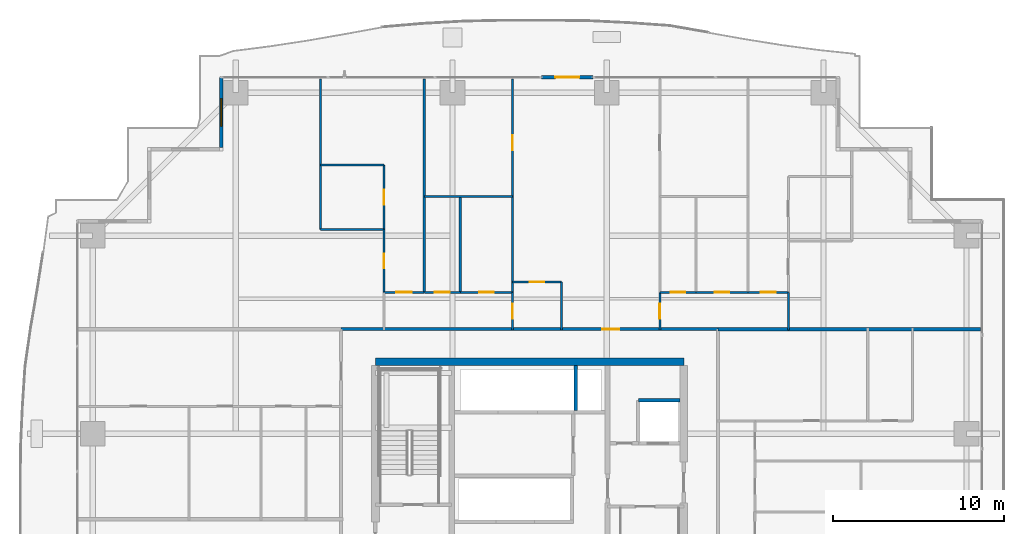
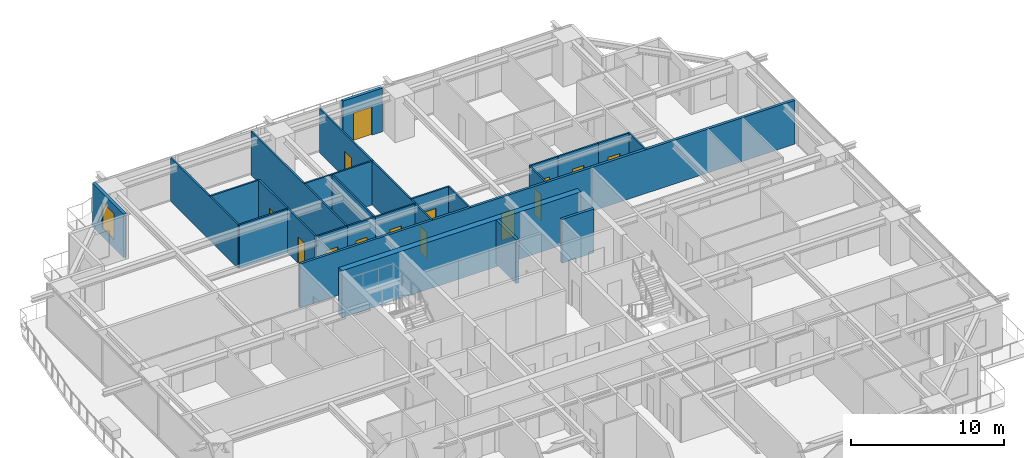
# One storey, part 27 of 36: 28 walls, 14 doors, 1 window, 15 openings.
"""IFC4 building model written with IfcOpenShell, lengths in metres."""

import ifcopenshell
import ifcopenshell.guid

model = None  # the IFC model being written
_history = None  # IfcOwnerHistory: only IFC2X3 demands one
_inside = {}  # id of a spatial element -> (the spatial element, [elements in it])
_under = {}  # id of a project, library or spatial element -> (it, [spatial elements below it])
_declared = {}  # id of a project -> (the project, [libraries it declares])
_typed = {}  # id of a type object -> (the type object, [elements of that type])
_made_of = {}  # id of a material, layer set ... -> (it, [elements and type objects made of it])


def new_model(schema):
    """Start an empty IFC model of exactly this schema.

    Asked for "IFC4X3", IfcOpenShell would pick the latest addendum, in which some entities
    have other attributes; the version numbers below select the first issue.
    IFC2X3 requires an IfcOwnerHistory on every rooted entity: one is made here for all.
    """
    global model, _history
    if schema == "IFC4X3":
        model = ifcopenshell.file(schema_version=(4, 3, 0, 0))
    else:
        model = ifcopenshell.file(schema=schema)
    _inside.clear()
    _under.clear()
    _declared.clear()
    _typed.clear()
    _made_of.clear()
    _history = None
    if model.schema == "IFC2X3":
        org = make("IfcOrganization", Name="unknown")
        user = make(
            "IfcPersonAndOrganization",
            ThePerson=make("IfcPerson", FamilyName="unknown"),
            TheOrganization=org,
        )
        app = make(
            "IfcApplication",
            ApplicationDeveloper=org,
            Version="unknown",
            ApplicationFullName="unknown",
            ApplicationIdentifier="unknown",
        )
        _history = make(
            "IfcOwnerHistory",
            OwningUser=user,
            OwningApplication=app,
            ChangeAction="ADDED",
            CreationDate=0,
        )
    return model


def make(cls, **values):
    """One entity of the class cls with the attributes given. An attribute that is None is left unset."""
    return model.create_entity(
        cls, **{name: value for name, value in values.items() if value is not None}
    )


def rooted(cls, **values):
    """An entity with a GlobalId (a new one), such as an element, a storey or a relation."""
    return make(cls, GlobalId=ifcopenshell.guid.new(), OwnerHistory=_history, **values)


def si_unit(unit_type, name, prefix=None):
    """IfcSIUnit, for example si_unit("LENGTHUNIT", "METRE", prefix="MILLI")."""
    return make("IfcSIUnit", UnitType=unit_type, Prefix=prefix, Name=name)


def assignment(units):
    """IfcUnitAssignment: the units of a project."""
    return None if units is None else make("IfcUnitAssignment", Units=units)


def point(xyz):
    """IfcCartesianPoint."""
    return None if xyz is None else make("IfcCartesianPoint", Coordinates=xyz)


def direction(xyz):
    """IfcDirection."""
    return None if xyz is None else make("IfcDirection", DirectionRatios=xyz)


def frame(location, z_axis=None, x_axis=None):
    """IfcAxis2Placement3D, a coordinate frame: its origin and axes. An axis left out is left unset."""
    return make(
        "IfcAxis2Placement3D",
        Location=point(location),
        Axis=direction(z_axis),
        RefDirection=direction(x_axis),
    )


def frame_2d(location, x_axis=None):
    """IfcAxis2Placement2D, a coordinate frame in the plane: its origin and x axis."""
    return make(
        "IfcAxis2Placement2D", Location=point(location), RefDirection=direction(x_axis)
    )


def origin():
    """The frame at (0, 0, 0) with its axes left unset."""
    return frame((0.0, 0.0, 0.0))


def place(relative_to, where):
    """IfcLocalPlacement: puts the frame where relative to a parent placement (None: the world)."""
    return make(
        "IfcLocalPlacement", PlacementRelTo=relative_to, RelativePlacement=where
    )


def context(
    kind, dimensions, precision=None, world=None, true_north=None, identifier=None
):
    """IfcGeometricRepresentationContext, for example the 3D "Model" context."""
    return make(
        "IfcGeometricRepresentationContext",
        ContextIdentifier=identifier,
        ContextType=kind,
        CoordinateSpaceDimension=dimensions,
        Precision=precision,
        WorldCoordinateSystem=world,
        TrueNorth=true_north,
    )


def subcontext(parent, identifier, kind, view, scale=None):
    """IfcGeometricRepresentationSubContext, for example "Body" below "Model"."""
    return make(
        "IfcGeometricRepresentationSubContext",
        ContextIdentifier=identifier,
        ContextType=kind,
        ParentContext=parent,
        TargetScale=scale,
        TargetView=view,
    )


def project(units=None, contexts=None):
    """IfcProject with its units and contexts."""
    return rooted(
        "IfcProject",
        Name="project",
        RepresentationContexts=contexts,
        UnitsInContext=assignment(units),
    )


def spatial(cls, under=None, at=None, **own):
    """A site, building, storey or space (cls), placed at a placement, below another one or the project."""
    s = rooted(cls, ObjectPlacement=at, **own)
    if under is not None:
        _under.setdefault(under.id(), (under, []))[1].append(s)
    return s


def profile(cls, at=None, kind="AREA", **sizes):
    """A parametric profile (cls). Its sizes go by their IFC names, for example OverallWidth=200.0."""
    return make(cls, ProfileType=kind, Position=at, **sizes)


def rectangle(**sizes):
    """IfcRectangleProfileDef."""
    return profile("IfcRectangleProfileDef", **sizes)


def extrude(swept, where, along, depth):
    """IfcExtrudedAreaSolid: the profile swept, set in the frame where, extruded along a direction by depth."""
    return make(
        "IfcExtrudedAreaSolid",
        SweptArea=swept,
        Position=where,
        ExtrudedDirection=direction(along),
        Depth=depth,
    )


def shape(context_of_items, identifier, shape_type, items):
    """IfcShapeRepresentation: the items that make up one representation, for example the "Body"."""
    return make(
        "IfcShapeRepresentation",
        ContextOfItems=context_of_items,
        RepresentationIdentifier=identifier,
        RepresentationType=shape_type,
        Items=items,
    )


def source(mapping_origin, context_of_items, identifier, shape_type, items):
    """IfcRepresentationMap: a shape defined once, which mapped items show again and again."""
    return make(
        "IfcRepresentationMap",
        MappingOrigin=mapping_origin,
        MappedRepresentation=shape(context_of_items, identifier, shape_type, items),
    )


def transform(
    local_origin,
    x_axis=None,
    y_axis=None,
    z_axis=None,
    scale=None,
    scale2=None,
    scale3=None,
    uniform=True,
):
    """IfcCartesianTransformationOperator3D, or its non-uniform kind. x_axis, y_axis, z_axis: its Axis1, 2, 3."""
    if uniform:
        return make(
            "IfcCartesianTransformationOperator3D",
            Axis1=direction(x_axis),
            Axis2=direction(y_axis),
            LocalOrigin=point(local_origin),
            Scale=scale,
            Axis3=direction(z_axis),
        )
    return make(
        "IfcCartesianTransformationOperator3DnonUniform",
        Axis1=direction(x_axis),
        Axis2=direction(y_axis),
        LocalOrigin=point(local_origin),
        Scale=scale,
        Axis3=direction(z_axis),
        Scale2=scale2,
        Scale3=scale3,
    )


def mapped(mapping_source, mapping_target):
    """IfcMappedItem: shows the shape of a source again, moved by a transform."""
    return make(
        "IfcMappedItem", MappingSource=mapping_source, MappingTarget=mapping_target
    )


def material(Name=None, Category=None):
    """IfcMaterial."""
    return make("IfcMaterial", Name=Name, Category=Category)


def layer(
    of_material, thickness, ventilated=None, Name=None, Category=None, Priority=None
):
    """IfcMaterialLayer: one layer of a wall or slab, of a material (None: an air gap)."""
    return make(
        "IfcMaterialLayer",
        Material=of_material,
        LayerThickness=thickness,
        IsVentilated=ventilated,
        Name=Name,
        Category=Category,
        Priority=Priority,
    )


def layer_set(layers, Name=None):
    """IfcMaterialLayerSet."""
    return make("IfcMaterialLayerSet", MaterialLayers=layers, LayerSetName=Name)


def made_of(thing, what):
    """Note that an element or type object is made of a material, layer set ...; save() writes the relation."""
    if what is not None:
        _made_of.setdefault(what.id(), (what, []))[1].append(thing)
    return thing


def type_object(cls, material=None, **own):
    """A type object (cls), such as IfcWallType, which elements share."""
    return made_of(rooted(cls, **own), material)


def element(
    cls,
    number,
    at=None,
    inside=None,
    cuts=None,
    type_object=None,
    material=None,
    context=None,
    identifier="Body",
    shape_type=None,
    held_by="IfcProductDefinitionShape",
    body=None,
    shapes=None,
    **own,
):
    """One element of the class cls, such as IfcWall. Its Tag is "e" and its number.

    at: its placement. inside: the storey or other place that contains it. cuts: it is an
    opening in that element (IfcRelVoidsElement). A single representation is given by context,
    identifier, shape_type and body (its items); several are given by shapes. held_by: the class
    of the entity that holds the representations. save() writes the other relations.
    """
    e = rooted(cls, Tag="e%d" % number, ObjectPlacement=at, **own)
    if body is not None:
        shapes = [shape(context, identifier, shape_type, body)]
    if shapes is not None:
        e.Representation = make(held_by, Representations=shapes)
    if inside is not None:
        _inside.setdefault(inside.id(), (inside, []))[1].append(e)
    if cuts is not None:
        rooted(
            "IfcRelVoidsElement", RelatingBuildingElement=cuts, RelatedOpeningElement=e
        )
    if type_object is not None:
        _typed.setdefault(type_object.id(), (type_object, []))[1].append(e)
    return made_of(e, material)


def fill(opening, filler):
    """IfcRelFillsElement: the door or window that sits in an opening."""
    return rooted(
        "IfcRelFillsElement",
        RelatingOpeningElement=opening,
        RelatedBuildingElement=filler,
    )


def aggregate(whole, parts):
    """IfcRelAggregates: a whole, such as a stair, and the parts it consists of."""
    return rooted("IfcRelAggregates", RelatingObject=whole, RelatedObjects=parts)


def save(model, path):
    """Write the relations noted so far, then the file.

    IfcRelAggregates (storeys below a building ...), IfcRelContainedInSpatialStructure (elements
    in a storey), IfcRelDefinesByType, IfcRelAssociatesMaterial and IfcRelDeclares: one each for
    every whole, place, type object, material and project.
    """
    for whole, parts in _under.values():
        aggregate(whole, parts)
    for where, things in _inside.values():
        rooted(
            "IfcRelContainedInSpatialStructure",
            RelatedElements=things,
            RelatingStructure=where,
        )
    for kind, things in _typed.values():
        rooted("IfcRelDefinesByType", RelatedObjects=things, RelatingType=kind)
    for what, things in _made_of.values():
        rooted("IfcRelAssociatesMaterial", RelatedObjects=things, RelatingMaterial=what)
    for by, libraries in _declared.values():
        rooted("IfcRelDeclares", RelatingContext=by, RelatedDefinitions=libraries)
    model.write(path)


model = new_model("IFC4")

# Units and contexts
model_context = context("Model", 3, precision=1e-05, world=origin(), true_north=direction((0.0, 1.0)))
body_context = subcontext(model_context, "Body", "Model", "MODEL_VIEW")
ifc_project = project(units=[si_unit("LENGTHUNIT", "METRE"), si_unit("AREAUNIT", "SQUARE_METRE"), si_unit("VOLUMEUNIT", "CUBIC_METRE"), si_unit("PLANEANGLEUNIT", "RADIAN"), si_unit("MASSUNIT", "GRAM", prefix="KILO")], contexts=[model_context])

# Site, building, storey
site_placement = place(None, origin())
site = spatial("IfcSite", under=ifc_project, at=site_placement, CompositionType="ELEMENT")
building_placement = place(site_placement, origin())
building = spatial("IfcBuilding", under=site, at=building_placement, Name="Serunith Strait Residences", CompositionType="ELEMENT")
storey_placement = place(building_placement, frame((0.0, 0.0, 86.699951171875)))
storey = spatial("IfcBuildingStorey", under=building, at=storey_placement, Name="L21", CompositionType="ELEMENT", Elevation=86.699951171875)

# Wall, opening, door
ifc_material_1 = material(Name="Pale-Champagne Aluminium Insulated Panel", Category="aluminium")
ifc_layer_1 = layer(ifc_material_1, 0.219970703125, Name="Pale-Champagne Aluminium Insulated Panel")
ifc_layer_set_1 = layer_set([ifc_layer_1], Name="Pale-Champagne Aluminium Insulated Panel")
wall_type_1 = type_object("IfcWallType", Name="EW-ALUM-220", PredefinedType="ELEMENTEDWALL", material=ifc_layer_set_1)
wall_1_placement = place(storey_placement, frame((36.10009765625, 50.199951171875, 0.0), z_axis=(0.0, 0.0, 1.0), x_axis=(-1.0, 0.0, 0.0)))
wall_1 = element("IfcWall", 1, at=wall_1_placement, inside=storey, type_object=wall_type_1, Name="L21 N Facade Pier Wall", PredefinedType="ELEMENTEDWALL", context=body_context, shape_type="SweptSolid", body=[
    extrude(rectangle(XDim=3.0, YDim=0.219970703125, at=frame_2d((1.5, 0.0))), origin(), (0.0, 0.0, 1.0), 3.47509765625),
])
opening_1_placement = place(wall_1_placement, frame((0.800048828125, 0.0, 0.0)))
opening_1 = element("IfcOpeningElement", 2, at=opening_1_placement, cuts=wall_1, Name="Opening ED-04", PredefinedType="OPENING", context=body_context, shape_type="SweptSolid", body=[
    extrude(rectangle(XDim=1.39990234375, YDim=2.25, at=frame_2d((0.699951171875, 1.125))), frame((0.0, 0.1201171875, 0.0), z_axis=(0.0, -1.0, 0.0), x_axis=(1.0, 0.0, 0.0)), (0.0, 0.0, 1.0), 0.239990234375),
])
ifc_material_2 = material(Name="Thermally-Broken Aluminium Sliding Balcony Door", Category="aluminium")
door_type_1 = type_object("IfcDoorType", Name="ED-BALC-1400", OperationType="NOTDEFINED", PredefinedType="DOOR", material=ifc_material_2)
shared_shape_1 = source(origin(), body_context, "Body", "SweptSolid", [
    extrude(rectangle(XDim=1.39990234375, YDim=2.25, at=frame_2d((0.699951171875, 1.125))), frame((0.0, 0.02490234375, 0.0), z_axis=(0.0, -1.0, 0.0), x_axis=(1.0, 0.0, 0.0)), (0.0, 0.0, 1.0), 0.050048828125),
])
door_1_placement = place(opening_1_placement, origin())
door_1 = element("IfcDoor", 3, at=door_1_placement, inside=storey, type_object=door_type_1, Name="L21 N Vertical-Forest Balcony Door", OperationType="SLIDING_TO_LEFT", OverallHeight=2.25, OverallWidth=1.39990234375, PredefinedType="DOOR", context=body_context, shape_type="MappedRepresentation", body=[
    mapped(shared_shape_1, transform((0.0, 0.0, 0.0), scale=1.0)),
])
fill(opening_1, door_1)

# Wall, opening, window
wall_2_placement = place(storey_placement, frame((14.39990234375, 50.199951171875, 0.0), z_axis=(0.0, 0.0, 1.0), x_axis=(0.0, -1.0, 0.0)))
wall_2 = element("IfcWall", 4, at=wall_2_placement, inside=storey, type_object=wall_type_1, Name="L21 Girih Serrated Corner Wall 12", PredefinedType="ELEMENTEDWALL", context=body_context, shape_type="SweptSolid", body=[
    extrude(rectangle(XDim=4.08984375, YDim=0.219970703125, at=frame_2d((2.044921875, 0.0))), origin(), (0.0, 0.0, 1.0), 3.47509765625),
])
opening_2_placement = place(wall_2_placement, frame((1.2451171875, 0.0, 0.64990234375)))
opening_2 = element("IfcOpeningElement", 5, at=opening_2_placement, cuts=wall_2, Name="Opening W-02", PredefinedType="OPENING", context=body_context, shape_type="SweptSolid", body=[
    extrude(rectangle(XDim=1.60009765625, YDim=2.10009765625, at=frame_2d((0.800048828125, 1.050048828125))), frame((0.0, 0.1201171875, 0.0), z_axis=(0.0, -1.0, 0.0), x_axis=(1.0, 0.0, 0.0)), (0.0, 0.0, 1.0), 0.239990234375),
])
ifc_material_3 = material(Name="Ceramic-Fritted Operable Aluminium Window Glass", Category="aluminium")
window_type = type_object("IfcWindowType", Name="WIN-C2", PartitioningType="DOUBLE_PANEL_VERTICAL", PredefinedType="WINDOW", material=ifc_material_3)
shared_shape_2 = source(origin(), body_context, "Body", "SweptSolid", [
    extrude(rectangle(XDim=1.60009765625, YDim=2.10009765625, at=frame_2d((0.800048828125, 1.050048828125))), frame((0.0, 0.030029296875, 0.0), z_axis=(0.0, -1.0, 0.0), x_axis=(1.0, 0.0, 0.0)), (0.0, 0.0, 1.0), 0.06005859375),
])
window_placement = place(opening_2_placement, origin())
window = element("IfcWindow", 6, at=window_placement, inside=storey, type_object=window_type, Name="L21 Corner Operable Fritted Window 12", OverallHeight=2.10009765625, OverallWidth=1.60009765625, PartitioningType="SINGLE_PANEL", PredefinedType="WINDOW", context=body_context, shape_type="MappedRepresentation", body=[
    mapped(shared_shape_2, transform((0.0, 0.0, 0.0), scale=1.0)),
])
fill(opening_2, window)

# Wall, opening, door
ifc_material_4 = material(Name="Fire-rated acoustic gypsum partition")
ifc_layer_2 = layer(ifc_material_4, 0.179931640625, Name="Fire-rated acoustic gypsum partition")
ifc_layer_set_2 = layer_set([ifc_layer_2], Name="Fire-rated acoustic gypsum partition")
wall_type_2 = type_object("IfcWallType", Name="IW-CORR-180", PredefinedType="PARTITIONING", material=ifc_layer_set_2)
wall_3_placement = place(storey_placement, frame((21.402099609375, 35.5, 0.0), z_axis=(0.0, 0.0, 1.0), x_axis=(1.0, 0.0, 0.0)))
wall_3 = element("IfcWall", 7, at=wall_3_placement, inside=storey, type_object=wall_type_2, Name="L21 Partition Wall 023", PredefinedType="PARTITIONING", context=body_context, shape_type="SweptSolid", body=[
    extrude(rectangle(XDim=21.995849609375, YDim=0.179931640625, at=frame_2d((10.998046875, 0.0))), origin(), (0.0, 0.0, 1.0), 3.489990234375),
])
opening_3_placement = place(wall_3_placement, frame((15.221923828125, 0.0, 0.0)))
opening_3 = element("IfcOpeningElement", 8, at=opening_3_placement, cuts=wall_3, Name="Opening D-APT1000", PredefinedType="OPENING", context=body_context, shape_type="SweptSolid", body=[
    extrude(rectangle(XDim=1.0, YDim=2.14990234375, at=frame_2d((0.5, 1.074951171875))), frame((0.0, 0.10009765625, 0.0), z_axis=(0.0, -1.0, 0.0), x_axis=(1.0, 0.0, 0.0)), (0.0, 0.0, 1.0), 0.199951171875),
])
ifc_material_5 = material(Name="Solid timber engineered fire door", Category="wood")
door_type_2 = type_object("IfcDoorType", Name="ID-APT-1000", OperationType="NOTDEFINED", PredefinedType="DOOR", material=ifc_material_5)
shared_shape_3 = source(origin(), body_context, "Body", "SweptSolid", [
    extrude(rectangle(XDim=1.0, YDim=2.14990234375, at=frame_2d((0.5, 1.074951171875))), frame((0.0, 0.02490234375, 0.0), z_axis=(0.0, -1.0, 0.0), x_axis=(1.0, 0.0, 0.0)), (0.0, 0.0, 1.0), 0.050048828125),
])
door_2_placement = place(opening_3_placement, origin())
door_2 = element("IfcDoor", 9, at=door_2_placement, inside=storey, type_object=door_type_2, Name="L21 Unit 05 Entrance Door", OperationType="SINGLE_SWING_LEFT", OverallHeight=2.14990234375, OverallWidth=1.0, PredefinedType="DOOR", context=body_context, shape_type="MappedRepresentation", body=[
    mapped(shared_shape_3, transform((0.0, 0.0, 0.0), scale=1.0)),
])
fill(opening_3, door_2)

ifc_material_6 = material(Name="Lightweight steel-stud gypsum partition", Category="steel")
ifc_layer_3 = layer(ifc_material_6, 0.1201171875, Name="Lightweight steel-stud gypsum partition")
ifc_layer_set_3 = layer_set([ifc_layer_3], Name="Lightweight steel-stud gypsum partition")
wall_type_3 = type_object("IfcWallType", Name="IW-PART-120", PredefinedType="PARTITIONING", material=ifc_layer_set_3)
wall_4_placement = place(storey_placement, frame((31.39990234375, 38.25, 0.0), z_axis=(0.0, 0.0, 1.0), x_axis=(1.0, 0.0, 0.0)))
wall_4 = element("IfcWall", 10, at=wall_4_placement, inside=storey, type_object=wall_type_3, Name="L21 Partition Wall 064", PredefinedType="PARTITIONING", context=body_context, shape_type="SweptSolid", body=[
    extrude(rectangle(XDim=2.85009765625, YDim=0.1201171875, at=frame_2d((1.425048828125, 0.0))), origin(), (0.0, 0.0, 1.0), 3.489990234375),
])
opening_4_placement = place(wall_4_placement, frame((1.0, 0.0, 0.0)))
opening_4 = element("IfcOpeningElement", 11, at=opening_4_placement, cuts=wall_4, Name="Opening D-RM850", PredefinedType="OPENING", context=body_context, shape_type="SweptSolid", body=[
    extrude(rectangle(XDim=0.85009765625, YDim=2.10009765625, at=frame_2d((0.425048828125, 1.050048828125))), frame((0.0, 0.070068359375, 0.0), z_axis=(0.0, -1.0, 0.0), x_axis=(1.0, 0.0, 0.0)), (0.0, 0.0, 1.0), 0.14013671875),
])
ifc_material_7 = material(Name="Engineered timber flush study and kitchen door", Category="wood")
door_type_3 = type_object("IfcDoorType", Name="ID-ROOM-850", OperationType="NOTDEFINED", PredefinedType="DOOR", material=ifc_material_7)
shared_shape_4 = source(origin(), body_context, "Body", "SweptSolid", [
    extrude(rectangle(XDim=0.85009765625, YDim=2.10009765625, at=frame_2d((0.425048828125, 1.050048828125))), frame((0.0, 0.02490234375, 0.0), z_axis=(0.0, -1.0, 0.0), x_axis=(1.0, 0.0, 0.0)), (0.0, 0.0, 1.0), 0.050048828125),
])
door_3_placement = place(opening_4_placement, origin())
door_3 = element("IfcDoor", 12, at=door_3_placement, inside=storey, type_object=door_type_3, Name="L21 Kitchen 2105 Door", OperationType="SINGLE_SWING_LEFT", OverallHeight=2.10009765625, OverallWidth=0.85009765625, PredefinedType="DOOR", context=body_context, shape_type="MappedRepresentation", body=[
    mapped(shared_shape_4, transform((0.0, 0.0, 0.0), scale=1.0)),
])
fill(opening_4, door_3)

# Wall
wall_5_placement = place(storey_placement, frame((34.25, 38.25, 0.0), z_axis=(0.0, 0.0, 1.0), x_axis=(0.0, -1.0, 0.0)))
element("IfcWall", 13, at=wall_5_placement, inside=storey, type_object=wall_type_3, Name="L21 Partition Wall 065", PredefinedType="PARTITIONING", context=body_context, shape_type="SweptSolid", body=[
    extrude(rectangle(XDim=2.81005859375, YDim=0.1201171875, at=frame_2d((1.405029296875, 0.0))), origin(), (0.0, 0.0, 1.0), 3.489990234375),
])

# Wall, opening, door
wall_6_placement = place(storey_placement, frame((31.39990234375, 37.64990234375, 0.0), z_axis=(0.0, 0.0, 1.0), x_axis=(0.0, -1.0, 0.0)))
wall_6 = element("IfcWall", 14, at=wall_6_placement, inside=storey, type_object=wall_type_3, Name="L21 Partition Wall 066", PredefinedType="PARTITIONING", context=body_context, shape_type="SweptSolid", body=[
    extrude(rectangle(XDim=2.2099609375, YDim=0.1201171875, at=frame_2d((1.10498046875, 0.0))), origin(), (0.0, 0.0, 1.0), 3.489990234375),
])
opening_5_placement = place(wall_6_placement, frame((0.655029296875, 0.0, 0.0)))
opening_5 = element("IfcOpeningElement", 15, at=opening_5_placement, cuts=wall_6, Name="Opening D-RM900", PredefinedType="OPENING", context=body_context, shape_type="SweptSolid", body=[
    extrude(rectangle(XDim=0.89990234375, YDim=2.10009765625, at=frame_2d((0.449951171875, 1.050048828125))), frame((0.0, 0.070068359375, 0.0), z_axis=(0.0, -1.0, 0.0), x_axis=(1.0, 0.0, 0.0)), (0.0, 0.0, 1.0), 0.14013671875),
])
ifc_material_8 = material(Name="Engineered timber flush bedroom door", Category="wood")
door_type_4 = type_object("IfcDoorType", Name="ID-ROOM-900", OperationType="NOTDEFINED", PredefinedType="DOOR", material=ifc_material_8)
shared_shape_5 = source(origin(), body_context, "Body", "SweptSolid", [
    extrude(rectangle(XDim=0.89990234375, YDim=2.10009765625, at=frame_2d((0.449951171875, 1.050048828125))), frame((0.0, 0.02490234375, 0.0), z_axis=(0.0, -1.0, 0.0), x_axis=(1.0, 0.0, 0.0)), (0.0, 0.0, 1.0), 0.050048828125),
])
door_4_placement = place(opening_5_placement, origin())
door_4 = element("IfcDoor", 16, at=door_4_placement, inside=storey, type_object=door_type_4, Name="L21 Hall W 2105 Door", OperationType="SINGLE_SWING_RIGHT", OverallHeight=2.10009765625, OverallWidth=0.89990234375, PredefinedType="DOOR", context=body_context, shape_type="MappedRepresentation", body=[
    mapped(shared_shape_5, transform((0.0, 0.0, 0.0), scale=1.0)),
])
fill(opening_5, door_4)

wall_7_placement = place(storey_placement, frame((31.39990234375, 50.10498046875, 0.0), z_axis=(0.0, 0.0, 1.0), x_axis=(0.0, -1.0, 0.0)))
wall_7 = element("IfcWall", 17, at=wall_7_placement, inside=storey, type_object=wall_type_3, Name="L21 Partition Wall 067", PredefinedType="PARTITIONING", context=body_context, shape_type="SweptSolid", body=[
    extrude(rectangle(XDim=6.85107421875, YDim=0.1201171875, at=frame_2d((3.425537109375, 0.0))), origin(), (0.0, 0.0, 1.0), 3.489990234375),
])
opening_6_placement = place(wall_7_placement, frame((3.27294921875, 0.0, 0.0)))
opening_6 = element("IfcOpeningElement", 18, at=opening_6_placement, cuts=wall_7, Name="Opening D-RM900", PredefinedType="OPENING", context=body_context, shape_type="SweptSolid", body=[
    extrude(rectangle(XDim=0.89990234375, YDim=2.10009765625, at=frame_2d((0.449951171875, 1.050048828125))), frame((0.0, 0.070068359375, 0.0), z_axis=(0.0, -1.0, 0.0), x_axis=(1.0, 0.0, 0.0)), (0.0, 0.0, 1.0), 0.14013671875),
])
door_5_placement = place(opening_6_placement, origin())
door_5 = element("IfcDoor", 19, at=door_5_placement, inside=storey, type_object=door_type_4, Name="L21 Formal Dining Room 1 2105 Door", OperationType="SINGLE_SWING_LEFT", OverallHeight=2.10009765625, OverallWidth=0.89990234375, PredefinedType="DOOR", context=body_context, shape_type="MappedRepresentation", body=[
    mapped(shared_shape_5, transform((0.0, 0.0, 0.0), scale=1.0)),
])
fill(opening_6, door_5)

# Walls
wall_8_placement = place(storey_placement, frame((31.39990234375, 43.251953125, 0.0), z_axis=(0.0, 0.0, 1.0), x_axis=(0.0, -1.0, 0.0)))
element("IfcWall", 20, at=wall_8_placement, inside=storey, type_object=wall_type_3, Name="L21 Partition Wall 068", PredefinedType="PARTITIONING", context=body_context, shape_type="SweptSolid", body=[
    extrude(rectangle(XDim=5.599853515625, YDim=0.1201171875, at=frame_2d((2.7998046875, 0.0))), origin(), (0.0, 0.0, 1.0), 3.489990234375),
])
wall_9_placement = place(storey_placement, frame((26.25, 43.25390625, 0.0), z_axis=(0.0, 0.0, 1.0), x_axis=(1.0, 0.0, 0.0)))
element("IfcWall", 21, at=wall_9_placement, inside=storey, type_object=wall_type_3, Name="L21 Partition Wall 069", PredefinedType="PARTITIONING", context=body_context, shape_type="SweptSolid", body=[
    extrude(rectangle(XDim=5.14990234375, YDim=0.1201171875, at=frame_2d((2.574951171875, 0.0))), origin(), (0.0, 0.0, 1.0), 3.489990234375),
])
wall_10_placement = place(storey_placement, frame((26.25, 50.10498046875, 0.0), z_axis=(0.0, 0.0, 1.0), x_axis=(0.0, -1.0, 0.0)))
element("IfcWall", 22, at=wall_10_placement, inside=storey, type_object=wall_type_3, Name="L21 Partition Wall 070", PredefinedType="PARTITIONING", context=body_context, shape_type="SweptSolid", body=[
    extrude(rectangle(XDim=12.455078125, YDim=0.1201171875, at=frame_2d((6.2275390625, 0.0))), origin(), (0.0, 0.0, 1.0), 3.489990234375),
])
wall_11_placement = place(storey_placement, frame((28.35009765625, 43.25390625, 0.0), z_axis=(0.0, 0.0, 1.0), x_axis=(0.0, -1.0, 0.0)))
element("IfcWall", 23, at=wall_11_placement, inside=storey, type_object=wall_type_3, Name="L21 Partition Wall 071", PredefinedType="PARTITIONING", context=body_context, shape_type="SweptSolid", body=[
    extrude(rectangle(XDim=5.60400390625, YDim=0.1201171875, at=frame_2d((2.802001953125, 0.0))), origin(), (0.0, 0.0, 1.0), 3.489990234375),
])

# Wall, opening, door
wall_12_placement = place(storey_placement, frame((26.25, 37.64990234375, 0.0), z_axis=(0.0, 0.0, 1.0), x_axis=(1.0, 0.0, 0.0)))
wall_12 = element("IfcWall", 24, at=wall_12_placement, inside=storey, type_object=wall_type_3, Name="L21 Partition Wall 072", PredefinedType="PARTITIONING", context=body_context, shape_type="SweptSolid", body=[
    extrude(rectangle(XDim=2.10009765625, YDim=0.1201171875, at=frame_2d((1.050048828125, 0.0))), origin(), (0.0, 0.0, 1.0), 3.489990234375),
])
opening_7_placement = place(wall_12_placement, frame((0.625, 0.0, 0.0)))
opening_7 = element("IfcOpeningElement", 25, at=opening_7_placement, cuts=wall_12, Name="Opening D-BTH850", PredefinedType="OPENING", context=body_context, shape_type="SweptSolid", body=[
    extrude(rectangle(XDim=0.85009765625, YDim=2.10009765625, at=frame_2d((0.425048828125, 1.050048828125))), frame((0.0, 0.070068359375, 0.0), z_axis=(0.0, -1.0, 0.0), x_axis=(1.0, 0.0, 0.0)), (0.0, 0.0, 1.0), 0.14013671875),
])
ifc_material_9 = material(Name="Moisture-resistant timber bathroom door", Category="wood")
door_type_5 = type_object("IfcDoorType", Name="ID-BATH-850", OperationType="NOTDEFINED", PredefinedType="DOOR", material=ifc_material_9)
door_6_placement = place(opening_7_placement, origin())
door_6 = element("IfcDoor", 26, at=door_6_placement, inside=storey, type_object=door_type_5, Name="L21 Bathroom 2105 Door", OperationType="SINGLE_SWING_RIGHT", OverallHeight=2.10009765625, OverallWidth=0.85009765625, PredefinedType="DOOR", context=body_context, shape_type="MappedRepresentation", body=[
    mapped(shared_shape_4, transform((0.0, 0.0, 0.0), scale=1.0)),
])
fill(opening_7, door_6)

wall_13_placement = place(storey_placement, frame((28.35205078125, 37.64990234375, 0.0), z_axis=(0.0, 0.0, 1.0), x_axis=(1.0, 0.0, 0.0)))
wall_13 = element("IfcWall", 27, at=wall_13_placement, inside=storey, type_object=wall_type_3, Name="L21 Partition Wall 073", PredefinedType="PARTITIONING", context=body_context, shape_type="SweptSolid", body=[
    extrude(rectangle(XDim=3.0478515625, YDim=0.1201171875, at=frame_2d((1.52392578125, 0.0))), origin(), (0.0, 0.0, 1.0), 3.489990234375),
])
opening_8_placement = place(wall_13_placement, frame((1.09912109375, 0.0, 0.0)))
opening_8 = element("IfcOpeningElement", 28, at=opening_8_placement, cuts=wall_13, Name="Opening D-RM850", PredefinedType="OPENING", context=body_context, shape_type="SweptSolid", body=[
    extrude(rectangle(XDim=0.85009765625, YDim=2.10009765625, at=frame_2d((0.425048828125, 1.050048828125))), frame((0.0, 0.070068359375, 0.0), z_axis=(0.0, -1.0, 0.0), x_axis=(1.0, 0.0, 0.0)), (0.0, 0.0, 1.0), 0.14013671875),
])
door_7_placement = place(opening_8_placement, origin())
door_7 = element("IfcDoor", 29, at=door_7_placement, inside=storey, type_object=door_type_3, Name="L21 Formal Dining Room 2105 Door", OperationType="SINGLE_SWING_LEFT", OverallHeight=2.10009765625, OverallWidth=0.85009765625, PredefinedType="DOOR", context=body_context, shape_type="MappedRepresentation", body=[
    mapped(shared_shape_4, transform((0.0, 0.0, 0.0), scale=1.0)),
])
fill(opening_8, door_7)

wall_14_placement = place(storey_placement, frame((23.89990234375, 37.64990234375, 0.0), z_axis=(0.0, 0.0, 1.0), x_axis=(1.0, 0.0, 0.0)))
wall_14 = element("IfcWall", 30, at=wall_14_placement, inside=storey, type_object=wall_type_3, Name="L21 Partition Wall 074", PredefinedType="PARTITIONING", context=body_context, shape_type="SweptSolid", body=[
    extrude(rectangle(XDim=2.34814453125, YDim=0.1201171875, at=frame_2d((1.174072265625, 0.0))), origin(), (0.0, 0.0, 1.0), 3.489990234375),
])
opening_9_placement = place(wall_14_placement, frame((0.72412109375, 0.0, 0.0)))
opening_9 = element("IfcOpeningElement", 31, at=opening_9_placement, cuts=wall_14, Name="Opening D-RM900", PredefinedType="OPENING", context=body_context, shape_type="SweptSolid", body=[
    extrude(rectangle(XDim=0.89990234375, YDim=2.10009765625, at=frame_2d((0.449951171875, 1.050048828125))), frame((0.0, 0.070068359375, 0.0), z_axis=(0.0, -1.0, 0.0), x_axis=(1.0, 0.0, 0.0)), (0.0, 0.0, 1.0), 0.14013671875),
])
door_8_placement = place(opening_9_placement, origin())
door_8 = element("IfcDoor", 32, at=door_8_placement, inside=storey, type_object=door_type_4, Name="L21 Master Bedroom W 2105 Door", OperationType="SINGLE_SWING_RIGHT", OverallHeight=2.10009765625, OverallWidth=0.89990234375, PredefinedType="DOOR", context=body_context, shape_type="MappedRepresentation", body=[
    mapped(shared_shape_5, transform((0.0, 0.0, 0.0), scale=1.0)),
])
fill(opening_9, door_8)

# Walls
wall_15_placement = place(storey_placement, frame((20.199951171875, 45.091064453125, 0.0), z_axis=(0.0, 0.0, 1.0), x_axis=(1.0, 0.0, 0.0)))
element("IfcWall", 33, at=wall_15_placement, inside=storey, type_object=wall_type_3, Name="L21 Partition Wall 075", PredefinedType="PARTITIONING", context=body_context, shape_type="SweptSolid", body=[
    extrude(rectangle(XDim=3.699951171875, YDim=0.1201171875, at=frame_2d((1.85009765625, 0.0))), origin(), (0.0, 0.0, 1.0), 3.489990234375),
])
wall_16_placement = place(storey_placement, frame((20.199951171875, 50.10498046875, 0.0), z_axis=(0.0, 0.0, 1.0), x_axis=(0.0, -1.0, 0.0)))
element("IfcWall", 34, at=wall_16_placement, inside=storey, type_object=wall_type_3, Name="L21 Partition Wall 076", PredefinedType="PARTITIONING", context=body_context, shape_type="SweptSolid", body=[
    extrude(rectangle(XDim=8.798095703125, YDim=0.1201171875, at=frame_2d((4.39892578125, 0.0))), origin(), (0.0, 0.0, 1.0), 3.489990234375),
])
wall_17_placement = place(storey_placement, frame((20.199951171875, 41.306884765625, 0.0), z_axis=(0.0, 0.0, 1.0), x_axis=(1.0, 0.0, 0.0)))
element("IfcWall", 35, at=wall_17_placement, inside=storey, type_object=wall_type_3, Name="L21 Partition Wall 077", PredefinedType="PARTITIONING", context=body_context, shape_type="SweptSolid", body=[
    extrude(rectangle(XDim=3.699951171875, YDim=0.1201171875, at=frame_2d((1.85009765625, 0.0))), origin(), (0.0, 0.0, 1.0), 3.489990234375),
])

# Wall, opening, door
wall_18_placement = place(storey_placement, frame((23.89990234375, 45.091064453125, 0.0), z_axis=(0.0, 0.0, 1.0), x_axis=(0.0, -1.0, 0.0)))
wall_18 = element("IfcWall", 36, at=wall_18_placement, inside=storey, type_object=wall_type_3, Name="L21 Partition Wall 078", PredefinedType="PARTITIONING", context=body_context, shape_type="SweptSolid", body=[
    extrude(rectangle(XDim=3.7841796875, YDim=0.1201171875, at=frame_2d((1.89208984375, 0.0))), origin(), (0.0, 0.0, 1.0), 3.489990234375),
])
opening_10_placement = place(wall_18_placement, frame((1.467041015625, 0.0, 0.0)))
opening_10 = element("IfcOpeningElement", 37, at=opening_10_placement, cuts=wall_18, Name="Opening D-BTH850", PredefinedType="OPENING", context=body_context, shape_type="SweptSolid", body=[
    extrude(rectangle(XDim=0.85009765625, YDim=2.10009765625, at=frame_2d((0.425048828125, 1.050048828125))), frame((0.0, 0.070068359375, 0.0), z_axis=(0.0, -1.0, 0.0), x_axis=(1.0, 0.0, 0.0)), (0.0, 0.0, 1.0), 0.14013671875),
])
door_9_placement = place(opening_10_placement, origin())
door_9 = element("IfcDoor", 38, at=door_9_placement, inside=storey, type_object=door_type_5, Name="L21 En-suite Bathroom W 2105 Door", OperationType="SINGLE_SWING_LEFT", OverallHeight=2.10009765625, OverallWidth=0.85009765625, PredefinedType="DOOR", context=body_context, shape_type="MappedRepresentation", body=[
    mapped(shared_shape_4, transform((0.0, 0.0, 0.0), scale=1.0)),
])
fill(opening_10, door_9)

wall_19_placement = place(storey_placement, frame((23.89990234375, 41.304931640625, 0.0), z_axis=(0.0, 0.0, 1.0), x_axis=(0.0, -1.0, 0.0)))
wall_19 = element("IfcWall", 39, at=wall_19_placement, inside=storey, type_object=wall_type_3, Name="L21 Partition Wall 079", PredefinedType="PARTITIONING", context=body_context, shape_type="SweptSolid", body=[
    extrude(rectangle(XDim=3.655029296875, YDim=0.1201171875, at=frame_2d((1.82763671875, 0.0))), origin(), (0.0, 0.0, 1.0), 3.489990234375),
])
opening_11_placement = place(wall_19_placement, frame((1.403076171875, 0.0, 0.0)))
opening_11 = element("IfcOpeningElement", 40, at=opening_11_placement, cuts=wall_19, Name="Opening D-RM850", PredefinedType="OPENING", context=body_context, shape_type="SweptSolid", body=[
    extrude(rectangle(XDim=0.85009765625, YDim=2.10009765625, at=frame_2d((0.425048828125, 1.050048828125))), frame((0.0, 0.070068359375, 0.0), z_axis=(0.0, -1.0, 0.0), x_axis=(1.0, 0.0, 0.0)), (0.0, 0.0, 1.0), 0.14013671875),
])
door_10_placement = place(opening_11_placement, origin())
door_10 = element("IfcDoor", 41, at=door_10_placement, inside=storey, type_object=door_type_3, Name="L21 Wardrobe W 2105 Door", OperationType="SINGLE_SWING_RIGHT", OverallHeight=2.10009765625, OverallWidth=0.85009765625, PredefinedType="DOOR", context=body_context, shape_type="MappedRepresentation", body=[
    mapped(shared_shape_4, transform((0.0, 0.0, 0.0), scale=1.0)),
])
fill(opening_11, door_10)

wall_20_placement = place(storey_placement, frame((40.0, 37.64990234375, 0.0), z_axis=(0.0, 0.0, 1.0), x_axis=(0.0, -1.0, 0.0)))
wall_20 = element("IfcWall", 42, at=wall_20_placement, inside=storey, type_object=wall_type_3, Name="L21 Partition Wall 081", PredefinedType="PARTITIONING", context=body_context, shape_type="SweptSolid", body=[
    extrude(rectangle(XDim=2.2099609375, YDim=0.1201171875, at=frame_2d((1.10498046875, 0.0))), origin(), (0.0, 0.0, 1.0), 3.489990234375),
])
opening_12_placement = place(wall_20_placement, frame((0.655029296875, 0.0, 0.0)))
opening_12 = element("IfcOpeningElement", 43, at=opening_12_placement, cuts=wall_20, Name="Opening D-RM900", PredefinedType="OPENING", context=body_context, shape_type="SweptSolid", body=[
    extrude(rectangle(XDim=0.89990234375, YDim=2.10009765625, at=frame_2d((0.449951171875, 1.050048828125))), frame((0.0, 0.070068359375, 0.0), z_axis=(0.0, -1.0, 0.0), x_axis=(1.0, 0.0, 0.0)), (0.0, 0.0, 1.0), 0.14013671875),
])
door_11_placement = place(opening_12_placement, origin())
door_11 = element("IfcDoor", 44, at=door_11_placement, inside=storey, type_object=door_type_4, Name="L21 Hall E 2105 Door", OperationType="SINGLE_SWING_LEFT", OverallHeight=2.10009765625, OverallWidth=0.89990234375, PredefinedType="DOOR", context=body_context, shape_type="MappedRepresentation", body=[
    mapped(shared_shape_5, transform((0.0, 0.0, 0.0), scale=1.0)),
])
fill(opening_12, door_11)

wall_21_placement = place(storey_placement, frame((40.0, 37.64990234375, 0.0), z_axis=(0.0, 0.0, 1.0), x_axis=(1.0, 0.0, 0.0)))
wall_21 = element("IfcWall", 45, at=wall_21_placement, inside=storey, type_object=wall_type_3, Name="L21 Partition Wall 087", PredefinedType="PARTITIONING", context=body_context, shape_type="SweptSolid", body=[
    extrude(rectangle(XDim=2.10009765625, YDim=0.1201171875, at=frame_2d((1.050048828125, 0.0))), origin(), (0.0, 0.0, 1.0), 3.489990234375),
])
opening_13_placement = place(wall_21_placement, frame((0.625, 0.0, 0.0)))
opening_13 = element("IfcOpeningElement", 46, at=opening_13_placement, cuts=wall_21, Name="Opening D-RM850", PredefinedType="OPENING", context=body_context, shape_type="SweptSolid", body=[
    extrude(rectangle(XDim=0.85009765625, YDim=2.10009765625, at=frame_2d((0.425048828125, 1.050048828125))), frame((0.0, 0.070068359375, 0.0), z_axis=(0.0, -1.0, 0.0), x_axis=(1.0, 0.0, 0.0)), (0.0, 0.0, 1.0), 0.14013671875),
])
door_12_placement = place(opening_13_placement, origin())
door_12 = element("IfcDoor", 47, at=door_12_placement, inside=storey, type_object=door_type_3, Name="L21 Study 2105 Door", OperationType="SINGLE_SWING_LEFT", OverallHeight=2.10009765625, OverallWidth=0.85009765625, PredefinedType="DOOR", context=body_context, shape_type="MappedRepresentation", body=[
    mapped(shared_shape_4, transform((0.0, 0.0, 0.0), scale=1.0)),
])
fill(opening_13, door_12)

wall_22_placement = place(storey_placement, frame((42.10205078125, 37.64990234375, 0.0), z_axis=(0.0, 0.0, 1.0), x_axis=(1.0, 0.0, 0.0)))
wall_22 = element("IfcWall", 48, at=wall_22_placement, inside=storey, type_object=wall_type_3, Name="L21 Partition Wall 088", PredefinedType="PARTITIONING", context=body_context, shape_type="SweptSolid", body=[
    extrude(rectangle(XDim=3.0478515625, YDim=0.1201171875, at=frame_2d((1.52392578125, 0.0))), origin(), (0.0, 0.0, 1.0), 3.489990234375),
])
opening_14_placement = place(wall_22_placement, frame((1.09912109375, 0.0, 0.0)))
opening_14 = element("IfcOpeningElement", 49, at=opening_14_placement, cuts=wall_22, Name="Opening D-RM850", PredefinedType="OPENING", context=body_context, shape_type="SweptSolid", body=[
    extrude(rectangle(XDim=0.85009765625, YDim=2.10009765625, at=frame_2d((0.425048828125, 1.050048828125))), frame((0.0, 0.070068359375, 0.0), z_axis=(0.0, -1.0, 0.0), x_axis=(1.0, 0.0, 0.0)), (0.0, 0.0, 1.0), 0.14013671875),
])
door_13_placement = place(opening_14_placement, origin())
door_13 = element("IfcDoor", 50, at=door_13_placement, inside=storey, type_object=door_type_3, Name="L21 Formal Dining Room 2105 Door", OperationType="SINGLE_SWING_RIGHT", OverallHeight=2.10009765625, OverallWidth=0.85009765625, PredefinedType="DOOR", context=body_context, shape_type="MappedRepresentation", body=[
    mapped(shared_shape_4, transform((0.0, 0.0, 0.0), scale=1.0)),
])
fill(opening_14, door_13)

wall_23_placement = place(storey_placement, frame((45.152099609375, 37.64990234375, 0.0), z_axis=(0.0, 0.0, 1.0), x_axis=(1.0, 0.0, 0.0)))
wall_23 = element("IfcWall", 51, at=wall_23_placement, inside=storey, type_object=wall_type_3, Name="L21 Partition Wall 089", PredefinedType="PARTITIONING", context=body_context, shape_type="SweptSolid", body=[
    extrude(rectangle(XDim=2.347900390625, YDim=0.1201171875, at=frame_2d((1.173828125, 0.0))), origin(), (0.0, 0.0, 1.0), 3.489990234375),
])
opening_15_placement = place(wall_23_placement, frame((0.72412109375, 0.0, 0.0)))
opening_15 = element("IfcOpeningElement", 52, at=opening_15_placement, cuts=wall_23, Name="Opening D-RM900", PredefinedType="OPENING", context=body_context, shape_type="SweptSolid", body=[
    extrude(rectangle(XDim=0.89990234375, YDim=2.10009765625, at=frame_2d((0.449951171875, 1.050048828125))), frame((0.0, 0.070068359375, 0.0), z_axis=(0.0, -1.0, 0.0), x_axis=(1.0, 0.0, 0.0)), (0.0, 0.0, 1.0), 0.14013671875),
])
door_14_placement = place(opening_15_placement, origin())
door_14 = element("IfcDoor", 53, at=door_14_placement, inside=storey, type_object=door_type_4, Name="L21 Master Bedroom E 2105 Door", OperationType="SINGLE_SWING_LEFT", OverallHeight=2.10009765625, OverallWidth=0.89990234375, PredefinedType="DOOR", context=body_context, shape_type="MappedRepresentation", body=[
    mapped(shared_shape_5, transform((0.0, 0.0, 0.0), scale=1.0)),
])
fill(opening_15, door_14)

# Walls
wall_24_placement = place(storey_placement, frame((47.5, 37.64794921875, 0.0), z_axis=(0.0, 0.0, 1.0), x_axis=(0.0, -1.0, 0.0)))
element("IfcWall", 54, at=wall_24_placement, inside=storey, type_object=wall_type_3, Name="L21 Partition Wall 095", PredefinedType="PARTITIONING", context=body_context, shape_type="SweptSolid", body=[
    extrude(rectangle(XDim=2.2080078125, YDim=0.1201171875, at=frame_2d((1.10400390625, 0.0))), origin(), (0.0, 0.0, 1.0), 3.489990234375),
])
ifc_material_10 = material(Name="Twin-stud acoustic gypsum board partition")
ifc_layer_4 = layer(ifc_material_10, 0.199951171875, Name="Twin-stud acoustic gypsum board partition")
ifc_layer_set_4 = layer_set([ifc_layer_4], Name="Twin-stud acoustic gypsum board partition")
wall_type_4 = type_object("IfcWallType", Name="IW-PARTY-200", PredefinedType="PARTITIONING", material=ifc_layer_set_4)
wall_25_placement = place(storey_placement, frame((43.39990234375, 35.5, 0.0), z_axis=(0.0, 0.0, 1.0), x_axis=(1.0, 0.0, 0.0)))
element("IfcWall", 55, at=wall_25_placement, inside=storey, type_object=wall_type_4, Name="L21 Partition Wall 021", PredefinedType="PARTITIONING", context=body_context, shape_type="SweptSolid", body=[
    extrude(rectangle(XDim=15.318115234375, YDim=0.199951171875, at=frame_2d((7.6591796875, 0.0))), origin(), (0.0, 0.0, 1.0), 3.489990234375),
])
ifc_material_11 = material(Name="Autoclaved aerated concrete blockwork", Category="masonry")
ifc_layer_5 = layer(ifc_material_11, 0.199951171875, Name="Autoclaved aerated concrete blockwork")
ifc_layer_set_5 = layer_set([ifc_layer_5], Name="Autoclaved aerated concrete blockwork")
wall_type_5 = type_object("IfcWallType", Name="IW-SHAFT-200", PredefinedType="STANDARD", material=ifc_layer_set_5)
wall_26_placement = place(storey_placement, frame((35.10009765625, 30.75, 0.0), z_axis=(0.0, 0.0, 1.0), x_axis=(0.0, 1.0, 0.0)))
element("IfcWall", 56, at=wall_26_placement, inside=storey, type_object=wall_type_5, Name="L21 SL-1 West Shaft Wall", PredefinedType="STANDARD", context=body_context, shape_type="SweptSolid", body=[
    extrude(rectangle(XDim=2.625, YDim=0.199951171875, at=frame_2d((1.3125, 0.0))), origin(), (0.0, 0.0, 1.0), 3.489990234375),
])
wall_27_placement = place(storey_placement, frame((38.75, 31.35009765625, 0.0), z_axis=(0.0, 0.0, 1.0), x_axis=(1.0, 0.0, 0.0)))
element("IfcWall", 57, at=wall_27_placement, inside=storey, type_object=wall_type_5, Name="L21 Partition Wall 005", PredefinedType="STANDARD", context=body_context, shape_type="SweptSolid", body=[
    extrude(rectangle(XDim=2.425048828125, YDim=0.199951171875, at=frame_2d((1.21240234375, 0.0))), origin(), (0.0, 0.0, 1.0), 3.489990234375),
])
ifc_material_12 = material(Name="Concrete C80/95", Category="concrete")
ifc_layer_6 = layer(ifc_material_12, 0.449951171875, Name="Concrete C80/95")
ifc_layer_set_6 = layer_set([ifc_layer_6], Name="Concrete C80/95")
wall_type_6 = type_object("IfcWallType", Name="SW-450-C80", PredefinedType="SHEAR", material=ifc_layer_set_6)
wall_28_placement = place(storey_placement, frame((41.39990234375, 33.60009765625, -0.260009765625), z_axis=(0.0, 0.0, 1.0), x_axis=(-1.0, 0.0, 0.0)))
element("IfcWall", 58, at=wall_28_placement, inside=storey, type_object=wall_type_6, Name="L21 Core North Shear Wall", PredefinedType="SHEAR", context=body_context, shape_type="SweptSolid", body=[
    extrude(rectangle(XDim=18.0, YDim=0.449951171875, at=frame_2d((9.0, 0.0))), origin(), (0.0, 0.0, 1.0), 3.748046875),
])

save(model, "model.ifc")
